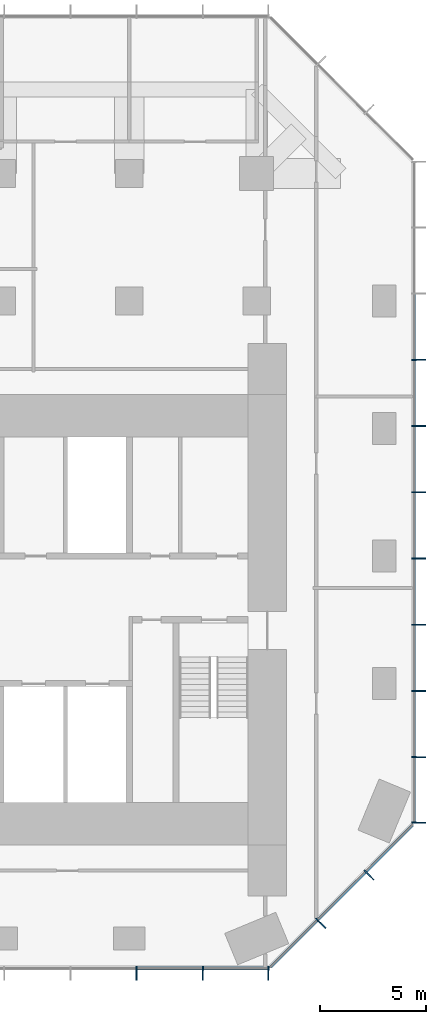
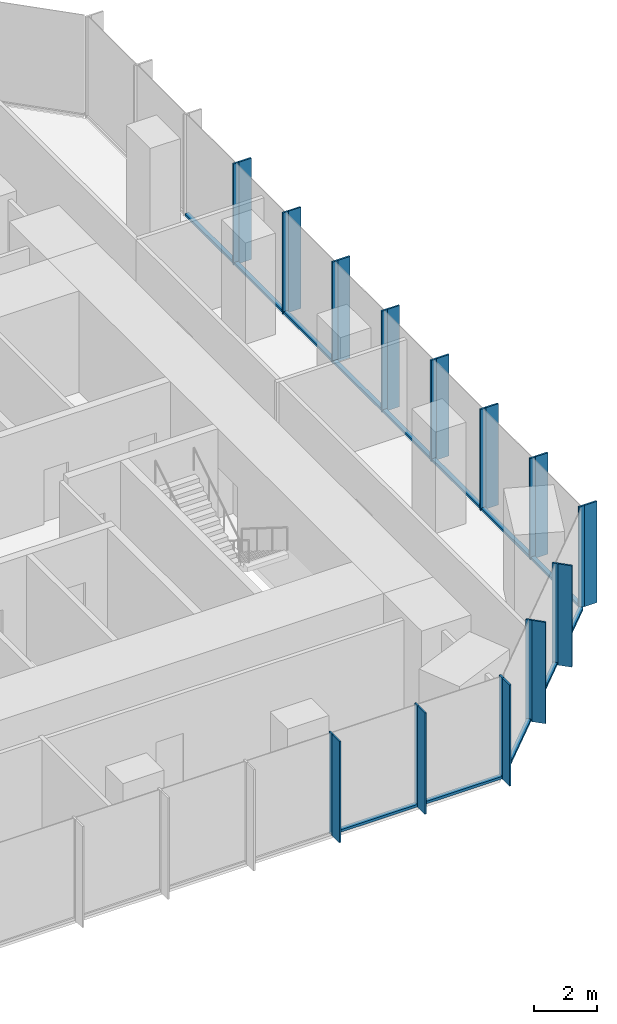
# One storey, part 4 of 11: 39 members, 3 elements without a shape of their own.
"""IFC4 building model written with IfcOpenShell, lengths in metres."""

from ifc_helpers import new_model, si_unit, direction, frame, origin, origin_2d, place, context, subcontext, project, spatial, rectangle, extrude, material, layer, layer_set, material_profile, profile_set, type_object, element, aggregate, save


model = new_model("IFC4")

# Units and contexts
model_context = context("Model", 3, precision=1e-05, world=origin(), true_north=direction((0.0, 1.0)))
body_context = subcontext(model_context, "Body", "Model", "MODEL_VIEW")
ifc_project = project(units=[si_unit("LENGTHUNIT", "METRE"), si_unit("AREAUNIT", "SQUARE_METRE"), si_unit("VOLUMEUNIT", "CUBIC_METRE"), si_unit("PLANEANGLEUNIT", "RADIAN"), si_unit("MASSUNIT", "GRAM", prefix="KILO")], contexts=[model_context])

# Site, building, storey
site_placement = place(None, origin())
site = spatial("IfcSite", under=ifc_project, at=site_placement, CompositionType="ELEMENT")
building_placement = place(site_placement, origin())
building = spatial("IfcBuilding", under=site, at=building_placement, Name="Highveld Stack Headquarters", CompositionType="ELEMENT")
storey_placement = place(building_placement, frame((0.0, 0.0, 192.800048828125)))
storey = spatial("IfcBuildingStorey", under=building, at=storey_placement, Name="L47", CompositionType="ELEMENT", Elevation=192.800048828125)

# Curtain wall, members
ifc_material_1 = material(Name="Aluminium bronze anodised", Category="aluminium")
ifc_layer_1 = layer(ifc_material_1, 0.199951171875)
ifc_layer_set_1 = layer_set([ifc_layer_1], Name="Aluminium bronze anodised")
curtain_wall_type_1 = type_object("IfcCurtainWallType", Name="CW1 TOWER UNITISED CURTAIN WALL", PredefinedType="NOTDEFINED", material=ifc_layer_set_1)
curtain_wall_1_placement = place(storey_placement, origin())
curtain_wall_1 = element("IfcCurtainWall", 1, at=curtain_wall_1_placement, inside=storey, type_object=curtain_wall_type_1, Name="Curtain wall CW1 L47 S", PredefinedType="NOTDEFINED")
ifc_material_2 = material(Name="Aluminium bronze anodised", Category="aluminium")
ifc_material_profile_1 = material_profile(ifc_material_2, rectangle(XDim=0.449951171875, YDim=0.06005859375, at=origin_2d()), Name="FIN 450x60")
ifc_profile_set_1 = profile_set([ifc_material_profile_1], Name="Aluminium bronze anodised")
member_type_1 = type_object("IfcMemberType", Name="CW1 BRONZE FIN 450x60", PredefinedType="USERDEFINED", material=ifc_profile_set_1)
member_1_placement = place(storey_placement, frame((12.347900390625, -13.72509765625, 0.0), z_axis=(0.0, 0.0, 1.0), x_axis=(0.0, 1.0, 0.0)))
member_1 = element("IfcMember", 2, at=member_1_placement, type_object=member_type_1, Name="CW1 fin L47 9", ObjectType="FIN", PredefinedType="USERDEFINED", context=body_context, shape_type="SweptSolid", body=[
    extrude(rectangle(XDim=0.449951171875, YDim=0.06005859375, at=origin_2d()), origin(), (0.0, 0.0, 1.0), 3.89990234375),
])
member_2_placement = place(storey_placement, frame((15.4638671875, -13.72509765625, 0.0), z_axis=(0.0, 0.0, 1.0), x_axis=(0.0, 1.0, 0.0)))
member_2 = element("IfcMember", 3, at=member_2_placement, type_object=member_type_1, Name="CW1 fin L47 10", ObjectType="FIN", PredefinedType="USERDEFINED", context=body_context, shape_type="SweptSolid", body=[
    extrude(rectangle(XDim=0.449951171875, YDim=0.06005859375, at=origin_2d()), origin(), (0.0, 0.0, 1.0), 3.89990234375),
])
member_3_placement = place(storey_placement, frame((18.54736328125, -13.72509765625, 0.0), z_axis=(0.0, 0.0, 1.0), x_axis=(0.0, 1.0, 0.0)))
member_3 = element("IfcMember", 4, at=member_3_placement, type_object=member_type_1, Name="CW1 fin L47 11", ObjectType="FIN", PredefinedType="USERDEFINED", context=body_context, shape_type="SweptSolid", body=[
    extrude(rectangle(XDim=0.449951171875, YDim=0.06005859375, at=origin_2d()), origin(), (0.0, 0.0, 1.0), 3.89990234375),
])

curtain_wall_2_placement = place(storey_placement, origin())
curtain_wall_2 = element("IfcCurtainWall", 5, at=curtain_wall_2_placement, inside=storey, type_object=curtain_wall_type_1, Name="Curtain wall CW1 L47 E", PredefinedType="NOTDEFINED")
member_4_placement = place(storey_placement, frame((25.72509765625, -6.54736328125, 0.0), z_axis=(0.0, 0.0, 1.0), x_axis=(-1.0, 0.0, 0.0)))
member_4 = element("IfcMember", 6, at=member_4_placement, type_object=member_type_1, Name="CW1 fin L47 1", ObjectType="FIN", PredefinedType="USERDEFINED", context=body_context, shape_type="SweptSolid", body=[
    extrude(rectangle(XDim=0.449951171875, YDim=0.06005859375, at=origin_2d()), origin(), (0.0, 0.0, 1.0), 3.89990234375),
])
member_5_placement = place(storey_placement, frame((25.72509765625, -3.4638671875, 0.0), z_axis=(0.0, 0.0, 1.0), x_axis=(-1.0, 0.0, 0.0)))
member_5 = element("IfcMember", 7, at=member_5_placement, type_object=member_type_1, Name="CW1 fin L47 2", ObjectType="FIN", PredefinedType="USERDEFINED", context=body_context, shape_type="SweptSolid", body=[
    extrude(rectangle(XDim=0.449951171875, YDim=0.06005859375, at=origin_2d()), origin(), (0.0, 0.0, 1.0), 3.89990234375),
])
member_6_placement = place(storey_placement, frame((25.72509765625, -0.347900390625, 0.0), z_axis=(0.0, 0.0, 1.0), x_axis=(-1.0, 0.0, 0.0)))
member_6 = element("IfcMember", 8, at=member_6_placement, type_object=member_type_1, Name="CW1 fin L47 3", ObjectType="FIN", PredefinedType="USERDEFINED", context=body_context, shape_type="SweptSolid", body=[
    extrude(rectangle(XDim=0.449951171875, YDim=0.06005859375, at=origin_2d()), origin(), (0.0, 0.0, 1.0), 3.89990234375),
])
member_7_placement = place(storey_placement, frame((25.72509765625, 2.76806640625, 0.0), z_axis=(0.0, 0.0, 1.0), x_axis=(-1.0, 0.0, 0.0)))
member_7 = element("IfcMember", 9, at=member_7_placement, type_object=member_type_1, Name="CW1 fin L47 4", ObjectType="FIN", PredefinedType="USERDEFINED", context=body_context, shape_type="SweptSolid", body=[
    extrude(rectangle(XDim=0.449951171875, YDim=0.06005859375, at=origin_2d()), origin(), (0.0, 0.0, 1.0), 3.89990234375),
])
member_8_placement = place(storey_placement, frame((25.72509765625, 5.884033203125, 0.0), z_axis=(0.0, 0.0, 1.0), x_axis=(-1.0, 0.0, 0.0)))
member_8 = element("IfcMember", 10, at=member_8_placement, type_object=member_type_1, Name="CW1 fin L47 5", ObjectType="FIN", PredefinedType="USERDEFINED", context=body_context, shape_type="SweptSolid", body=[
    extrude(rectangle(XDim=0.449951171875, YDim=0.06005859375, at=origin_2d()), origin(), (0.0, 0.0, 1.0), 3.89990234375),
])
member_9_placement = place(storey_placement, frame((25.72509765625, 9.0, 0.0), z_axis=(0.0, 0.0, 1.0), x_axis=(-1.0, 0.0, 0.0)))
member_9 = element("IfcMember", 11, at=member_9_placement, type_object=member_type_1, Name="CW1 fin L47 6", ObjectType="FIN", PredefinedType="USERDEFINED", context=body_context, shape_type="SweptSolid", body=[
    extrude(rectangle(XDim=0.449951171875, YDim=0.06005859375, at=origin_2d()), origin(), (0.0, 0.0, 1.0), 3.89990234375),
])
member_10_placement = place(storey_placement, frame((25.72509765625, 12.115966796875, 0.0), z_axis=(0.0, 0.0, 1.0), x_axis=(-1.0, 0.0, 0.0)))
member_10 = element("IfcMember", 12, at=member_10_placement, type_object=member_type_1, Name="CW1 fin L47 7", ObjectType="FIN", PredefinedType="USERDEFINED", context=body_context, shape_type="SweptSolid", body=[
    extrude(rectangle(XDim=0.449951171875, YDim=0.06005859375, at=origin_2d()), origin(), (0.0, 0.0, 1.0), 3.89990234375),
])
member_11_placement = place(storey_placement, frame((25.72509765625, 15.23193359375, 0.0), z_axis=(0.0, 0.0, 1.0), x_axis=(-1.0, 0.0, 0.0)))
member_11 = element("IfcMember", 13, at=member_11_placement, type_object=member_type_1, Name="CW1 fin L47 8", ObjectType="FIN", PredefinedType="USERDEFINED", context=body_context, shape_type="SweptSolid", body=[
    extrude(rectangle(XDim=0.449951171875, YDim=0.06005859375, at=origin_2d()), origin(), (0.0, 0.0, 1.0), 3.89990234375),
])

# Member
ifc_material_3 = material(Name="Aluminium bronze anodised", Category="aluminium")
ifc_material_profile_2 = material_profile(ifc_material_3, rectangle(XDim=0.199951171875, YDim=0.06494140625, at=origin_2d()), Name="CW1 MULLION 65x200")
ifc_profile_set_2 = profile_set([ifc_material_profile_2], Name="Aluminium bronze anodised")
member_type_2 = type_object("IfcMemberType", Name="CW1 MULLION 65x200", PredefinedType="MULLION", material=ifc_profile_set_2)
member_12_placement = place(storey_placement, frame((12.347900390625, -13.39990234375, 0.0), z_axis=(0.0, 0.0, 1.0), x_axis=(0.0, 1.0, 0.0)))
member_12 = element("IfcMember", 14, at=member_12_placement, type_object=member_type_2, Name="CW1 mullion L47 9", PredefinedType="MULLION", context=body_context, shape_type="SweptSolid", body=[
    extrude(rectangle(XDim=0.199951171875, YDim=0.06494140625, at=origin_2d()), origin(), (0.0, 0.0, 1.0), 3.89990234375),
])

member_13_placement = place(storey_placement, frame((15.4638671875, -13.39990234375, 0.0), z_axis=(0.0, 0.0, 1.0), x_axis=(0.0, 1.0, 0.0)))
member_13 = element("IfcMember", 15, at=member_13_placement, type_object=member_type_2, Name="CW1 mullion L47 10", PredefinedType="MULLION", context=body_context, shape_type="SweptSolid", body=[
    extrude(rectangle(XDim=0.199951171875, YDim=0.06494140625, at=origin_2d()), origin(), (0.0, 0.0, 1.0), 3.89990234375),
])

member_14_placement = place(storey_placement, frame((18.54736328125, -13.39990234375, 0.0), z_axis=(0.0, 0.0, 1.0), x_axis=(0.0, 1.0, 0.0)))
member_14 = element("IfcMember", 16, at=member_14_placement, type_object=member_type_2, Name="CW1 mullion L47 11", PredefinedType="MULLION", context=body_context, shape_type="SweptSolid", body=[
    extrude(rectangle(XDim=0.199951171875, YDim=0.06494140625, at=origin_2d()), origin(), (0.0, 0.0, 1.0), 3.89990234375),
])

member_15_placement = place(storey_placement, frame((25.39990234375, -6.54736328125, 0.0), z_axis=(0.0, 0.0, 1.0), x_axis=(-1.0, 0.0, 0.0)))
member_15 = element("IfcMember", 17, at=member_15_placement, type_object=member_type_2, Name="CW1 mullion L47 1", PredefinedType="MULLION", context=body_context, shape_type="SweptSolid", body=[
    extrude(rectangle(XDim=0.199951171875, YDim=0.06494140625, at=origin_2d()), origin(), (0.0, 0.0, 1.0), 3.89990234375),
])

member_16_placement = place(storey_placement, frame((25.39990234375, -3.4638671875, 0.0), z_axis=(0.0, 0.0, 1.0), x_axis=(-1.0, 0.0, 0.0)))
member_16 = element("IfcMember", 18, at=member_16_placement, type_object=member_type_2, Name="CW1 mullion L47 2", PredefinedType="MULLION", context=body_context, shape_type="SweptSolid", body=[
    extrude(rectangle(XDim=0.199951171875, YDim=0.06494140625, at=origin_2d()), origin(), (0.0, 0.0, 1.0), 3.89990234375),
])

member_17_placement = place(storey_placement, frame((25.39990234375, -0.347900390625, 0.0), z_axis=(0.0, 0.0, 1.0), x_axis=(-1.0, 0.0, 0.0)))
member_17 = element("IfcMember", 19, at=member_17_placement, type_object=member_type_2, Name="CW1 mullion L47 3", PredefinedType="MULLION", context=body_context, shape_type="SweptSolid", body=[
    extrude(rectangle(XDim=0.199951171875, YDim=0.06494140625, at=origin_2d()), origin(), (0.0, 0.0, 1.0), 3.89990234375),
])

member_18_placement = place(storey_placement, frame((25.39990234375, 2.76806640625, 0.0), z_axis=(0.0, 0.0, 1.0), x_axis=(-1.0, 0.0, 0.0)))
member_18 = element("IfcMember", 20, at=member_18_placement, type_object=member_type_2, Name="CW1 mullion L47 4", PredefinedType="MULLION", context=body_context, shape_type="SweptSolid", body=[
    extrude(rectangle(XDim=0.199951171875, YDim=0.06494140625, at=origin_2d()), origin(), (0.0, 0.0, 1.0), 3.89990234375),
])

member_19_placement = place(storey_placement, frame((25.39990234375, 5.884033203125, 0.0), z_axis=(0.0, 0.0, 1.0), x_axis=(-1.0, 0.0, 0.0)))
member_19 = element("IfcMember", 21, at=member_19_placement, type_object=member_type_2, Name="CW1 mullion L47 5", PredefinedType="MULLION", context=body_context, shape_type="SweptSolid", body=[
    extrude(rectangle(XDim=0.199951171875, YDim=0.06494140625, at=origin_2d()), origin(), (0.0, 0.0, 1.0), 3.89990234375),
])

member_20_placement = place(storey_placement, frame((25.39990234375, 9.0, 0.0), z_axis=(0.0, 0.0, 1.0), x_axis=(-1.0, 0.0, 0.0)))
member_20 = element("IfcMember", 22, at=member_20_placement, type_object=member_type_2, Name="CW1 mullion L47 6", PredefinedType="MULLION", context=body_context, shape_type="SweptSolid", body=[
    extrude(rectangle(XDim=0.199951171875, YDim=0.06494140625, at=origin_2d()), origin(), (0.0, 0.0, 1.0), 3.89990234375),
])

member_21_placement = place(storey_placement, frame((25.39990234375, 12.115966796875, 0.0), z_axis=(0.0, 0.0, 1.0), x_axis=(-1.0, 0.0, 0.0)))
member_21 = element("IfcMember", 23, at=member_21_placement, type_object=member_type_2, Name="CW1 mullion L47 7", PredefinedType="MULLION", context=body_context, shape_type="SweptSolid", body=[
    extrude(rectangle(XDim=0.199951171875, YDim=0.06494140625, at=origin_2d()), origin(), (0.0, 0.0, 1.0), 3.89990234375),
])

member_22_placement = place(storey_placement, frame((25.39990234375, 15.23193359375, 0.0), z_axis=(0.0, 0.0, 1.0), x_axis=(-1.0, 0.0, 0.0)))
member_22 = element("IfcMember", 24, at=member_22_placement, type_object=member_type_2, Name="CW1 mullion L47 8", PredefinedType="MULLION", context=body_context, shape_type="SweptSolid", body=[
    extrude(rectangle(XDim=0.199951171875, YDim=0.06494140625, at=origin_2d()), origin(), (0.0, 0.0, 1.0), 3.89990234375),
])

ifc_material_4 = material(Name="Aluminium bronze anodised", Category="aluminium")
ifc_material_profile_3 = material_profile(ifc_material_4, rectangle(XDim=0.14990234375, YDim=0.10009765625, at=origin_2d()), Name="CW1 TRANSOM 150x100")
ifc_profile_set_3 = profile_set([ifc_material_profile_3], Name="Aluminium bronze anodised")
member_type_3 = type_object("IfcMemberType", Name="CW1 STACK TRANSOM 150x100", PredefinedType="USERDEFINED", material=ifc_profile_set_3)
member_23_placement = place(storey_placement, frame((12.38037109375, -13.39990234375, 0.050048828125), z_axis=(1.0, 0.0, 0.0), x_axis=(0.0, 1.0, 0.0)))
member_23 = element("IfcMember", 25, at=member_23_placement, type_object=member_type_3, Name="CW1 transom L47 9.1", ObjectType="TRANSOM", PredefinedType="USERDEFINED", context=body_context, shape_type="SweptSolid", body=[
    extrude(rectangle(XDim=0.14990234375, YDim=0.10009765625, at=origin_2d()), origin(), (0.0, 0.0, 1.0), 3.051025390625),
])

member_24_placement = place(storey_placement, frame((15.496337890625, -13.39990234375, 0.050048828125), z_axis=(1.0, 0.0, 0.0), x_axis=(0.0, 1.0, 0.0)))
member_24 = element("IfcMember", 26, at=member_24_placement, type_object=member_type_3, Name="CW1 transom L47 10.1", ObjectType="TRANSOM", PredefinedType="USERDEFINED", context=body_context, shape_type="SweptSolid", body=[
    extrude(rectangle(XDim=0.14990234375, YDim=0.10009765625, at=origin_2d()), origin(), (0.0, 0.0, 1.0), 3.0185546875),
])

aggregate(curtain_wall_1, [member_12, member_1, member_13, member_2, member_14, member_3, member_23, member_24])

member_25_placement = place(storey_placement, frame((25.39990234375, -6.514892578125, 0.050048828125), z_axis=(0.0, 1.0, 0.0), x_axis=(-1.0, 0.0, 0.0)))
member_25 = element("IfcMember", 27, at=member_25_placement, type_object=member_type_3, Name="CW1 transom L47 1.1", ObjectType="TRANSOM", PredefinedType="USERDEFINED", context=body_context, shape_type="SweptSolid", body=[
    extrude(rectangle(XDim=0.14990234375, YDim=0.10009765625, at=origin_2d()), origin(), (0.0, 0.0, 1.0), 3.0185546875),
])

member_26_placement = place(storey_placement, frame((25.39990234375, -3.431396484375, 0.050048828125), z_axis=(0.0, 1.0, 0.0), x_axis=(-1.0, 0.0, 0.0)))
member_26 = element("IfcMember", 28, at=member_26_placement, type_object=member_type_3, Name="CW1 transom L47 2.1", ObjectType="TRANSOM", PredefinedType="USERDEFINED", context=body_context, shape_type="SweptSolid", body=[
    extrude(rectangle(XDim=0.14990234375, YDim=0.10009765625, at=origin_2d()), origin(), (0.0, 0.0, 1.0), 3.051025390625),
])

member_27_placement = place(storey_placement, frame((25.39990234375, -0.3154296875, 0.050048828125), z_axis=(0.0, 1.0, 0.0), x_axis=(-1.0, 0.0, 0.0)))
member_27 = element("IfcMember", 29, at=member_27_placement, type_object=member_type_3, Name="CW1 transom L47 3.1", ObjectType="TRANSOM", PredefinedType="USERDEFINED", context=body_context, shape_type="SweptSolid", body=[
    extrude(rectangle(XDim=0.14990234375, YDim=0.10009765625, at=origin_2d()), origin(), (0.0, 0.0, 1.0), 3.051025390625),
])

member_28_placement = place(storey_placement, frame((25.39990234375, 2.800537109375, 0.050048828125), z_axis=(0.0, 1.0, 0.0), x_axis=(-1.0, 0.0, 0.0)))
member_28 = element("IfcMember", 30, at=member_28_placement, type_object=member_type_3, Name="CW1 transom L47 4.1", ObjectType="TRANSOM", PredefinedType="USERDEFINED", context=body_context, shape_type="SweptSolid", body=[
    extrude(rectangle(XDim=0.14990234375, YDim=0.10009765625, at=origin_2d()), origin(), (0.0, 0.0, 1.0), 3.051025390625),
])

member_29_placement = place(storey_placement, frame((25.39990234375, 5.91650390625, 0.050048828125), z_axis=(0.0, 1.0, 0.0), x_axis=(-1.0, 0.0, 0.0)))
member_29 = element("IfcMember", 31, at=member_29_placement, type_object=member_type_3, Name="CW1 transom L47 5.1", ObjectType="TRANSOM", PredefinedType="USERDEFINED", context=body_context, shape_type="SweptSolid", body=[
    extrude(rectangle(XDim=0.14990234375, YDim=0.10009765625, at=origin_2d()), origin(), (0.0, 0.0, 1.0), 3.051025390625),
])

member_30_placement = place(storey_placement, frame((25.39990234375, 9.032470703125, 0.050048828125), z_axis=(0.0, 1.0, 0.0), x_axis=(-1.0, 0.0, 0.0)))
member_30 = element("IfcMember", 32, at=member_30_placement, type_object=member_type_3, Name="CW1 transom L47 6.1", ObjectType="TRANSOM", PredefinedType="USERDEFINED", context=body_context, shape_type="SweptSolid", body=[
    extrude(rectangle(XDim=0.14990234375, YDim=0.10009765625, at=origin_2d()), origin(), (0.0, 0.0, 1.0), 3.051025390625),
])

member_31_placement = place(storey_placement, frame((25.39990234375, 12.1484375, 0.050048828125), z_axis=(0.0, 1.0, 0.0), x_axis=(-1.0, 0.0, 0.0)))
member_31 = element("IfcMember", 33, at=member_31_placement, type_object=member_type_3, Name="CW1 transom L47 7.1", ObjectType="TRANSOM", PredefinedType="USERDEFINED", context=body_context, shape_type="SweptSolid", body=[
    extrude(rectangle(XDim=0.14990234375, YDim=0.10009765625, at=origin_2d()), origin(), (0.0, 0.0, 1.0), 3.051025390625),
])

member_32_placement = place(storey_placement, frame((25.39990234375, 15.264404296875, 0.050048828125), z_axis=(0.0, 1.0, 0.0), x_axis=(-1.0, 0.0, 0.0)))
member_32 = element("IfcMember", 34, at=member_32_placement, type_object=member_type_3, Name="CW1 transom L47 8.1", ObjectType="TRANSOM", PredefinedType="USERDEFINED", context=body_context, shape_type="SweptSolid", body=[
    extrude(rectangle(XDim=0.14990234375, YDim=0.10009765625, at=origin_2d()), origin(), (0.0, 0.0, 1.0), 3.051025390625),
])

aggregate(curtain_wall_2, [member_15, member_4, member_16, member_5, member_17, member_6, member_18, member_7, member_19, member_8, member_20, member_9, member_21, member_10, member_22, member_11, member_25, member_26, member_27, member_28, member_29, member_30, member_31, member_32])

# Curtain wall, members
ifc_material_5 = material(Name="Aluminium bronze anodised", Category="aluminium")
ifc_layer_2 = layer(ifc_material_5, 0.199951171875)
ifc_layer_set_2 = layer_set([ifc_layer_2], Name="Aluminium bronze anodised")
curtain_wall_type_2 = type_object("IfcCurtainWallType", Name="CW2 TOWER CHAMFER UNITISED CURTAIN WALL", PredefinedType="NOTDEFINED", material=ifc_layer_set_2)
curtain_wall_3_placement = place(storey_placement, origin())
curtain_wall_3 = element("IfcCurtainWall", 35, at=curtain_wall_3_placement, inside=storey, type_object=curtain_wall_type_2, Name="Curtain wall CW2 L47 SE", PredefinedType="NOTDEFINED")
ifc_material_6 = material(Name="Aluminium bronze anodised", Category="aluminium")
ifc_material_profile_4 = material_profile(ifc_material_6, rectangle(XDim=0.449951171875, YDim=0.06005859375, at=origin_2d()), Name="FIN 450x60")
ifc_profile_set_4 = profile_set([ifc_material_profile_4], Name="Aluminium bronze anodised")
member_type_4 = type_object("IfcMemberType", Name="CW2 BRONZE FIN 450x60", PredefinedType="USERDEFINED", material=ifc_profile_set_4)
member_33_placement = place(storey_placement, frame((21.0830078125, -11.3564453125, 0.0), z_axis=(0.0, 0.0, 1.0), x_axis=(-0.707106781187, 0.707106781187, 0.0)))
member_33 = element("IfcMember", 36, at=member_33_placement, type_object=member_type_4, Name="CW2 fin L47 1", ObjectType="FIN", PredefinedType="USERDEFINED", context=body_context, shape_type="SweptSolid", body=[
    extrude(rectangle(XDim=0.449951171875, YDim=0.06005859375, at=origin_2d()), origin(), (0.0, 0.0, 1.0), 3.89990234375),
])
member_34_placement = place(storey_placement, frame((23.3564453125, -9.0830078125, 0.0), z_axis=(0.0, 0.0, 1.0), x_axis=(-0.707106781187, 0.707106781187, 0.0)))
member_34 = element("IfcMember", 37, at=member_34_placement, type_object=member_type_4, Name="CW2 fin L47 2", ObjectType="FIN", PredefinedType="USERDEFINED", context=body_context, shape_type="SweptSolid", body=[
    extrude(rectangle(XDim=0.449951171875, YDim=0.06005859375, at=origin_2d()), origin(), (0.0, 0.0, 1.0), 3.89990234375),
])
ifc_material_7 = material(Name="Aluminium bronze anodised", Category="aluminium")
ifc_material_profile_5 = material_profile(ifc_material_7, rectangle(XDim=0.199951171875, YDim=0.06494140625, at=origin_2d()), Name="CW2 MULLION 65x200")
ifc_profile_set_5 = profile_set([ifc_material_profile_5], Name="Aluminium bronze anodised")
member_type_5 = type_object("IfcMemberType", Name="CW2 MULLION 65x200", PredefinedType="MULLION", material=ifc_profile_set_5)
member_35_placement = place(storey_placement, frame((20.853271484375, -11.126708984375, 0.0), z_axis=(0.0, 0.0, 1.0), x_axis=(-0.707106781187, 0.707106781187, 0.0)))
member_35 = element("IfcMember", 38, at=member_35_placement, type_object=member_type_5, Name="CW2 mullion L47 1", PredefinedType="MULLION", context=body_context, shape_type="SweptSolid", body=[
    extrude(rectangle(XDim=0.199951171875, YDim=0.06494140625, at=origin_2d()), origin(), (0.0, 0.0, 1.0), 3.89990234375),
])
member_36_placement = place(storey_placement, frame((23.126708984375, -8.853271484375, 0.0), z_axis=(0.0, 0.0, 1.0), x_axis=(-0.707106781187, 0.707106781187, 0.0)))
member_36 = element("IfcMember", 39, at=member_36_placement, type_object=member_type_5, Name="CW2 mullion L47 2", PredefinedType="MULLION", context=body_context, shape_type="SweptSolid", body=[
    extrude(rectangle(XDim=0.199951171875, YDim=0.06494140625, at=origin_2d()), origin(), (0.0, 0.0, 1.0), 3.89990234375),
])
ifc_material_8 = material(Name="Aluminium bronze anodised", Category="aluminium")
ifc_material_profile_6 = material_profile(ifc_material_8, rectangle(XDim=0.14990234375, YDim=0.10009765625, at=origin_2d()), Name="CW2 TRANSOM 150x100")
ifc_profile_set_6 = profile_set([ifc_material_profile_6], Name="Aluminium bronze anodised")
member_type_6 = type_object("IfcMemberType", Name="CW2 STACK TRANSOM 150x100", PredefinedType="USERDEFINED", material=ifc_profile_set_6)
member_37_placement = place(storey_placement, frame((18.650634765625, -13.329345703125, 0.050048828125), z_axis=(0.707106781187, 0.707106781187, 0.0), x_axis=(-0.707106781187, 0.707106781187, 0.0)))
member_37 = element("IfcMember", 40, at=member_37_placement, type_object=member_type_6, Name="CW2 transom L47 1.1", ObjectType="TRANSOM", PredefinedType="USERDEFINED", context=body_context, shape_type="SweptSolid", body=[
    extrude(rectangle(XDim=0.14990234375, YDim=0.10009765625, at=origin_2d()), origin(), (0.0, 0.0, 1.0), 3.08251953125),
])
member_38_placement = place(storey_placement, frame((20.876220703125, -11.103759765625, 0.050048828125), z_axis=(0.707106781187, 0.707106781187, 0.0), x_axis=(-0.707106781187, 0.707106781187, 0.0)))
member_38 = element("IfcMember", 41, at=member_38_placement, type_object=member_type_6, Name="CW2 transom L47 2.1", ObjectType="TRANSOM", PredefinedType="USERDEFINED", context=body_context, shape_type="SweptSolid", body=[
    extrude(rectangle(XDim=0.14990234375, YDim=0.10009765625, at=origin_2d()), origin(), (0.0, 0.0, 1.0), 3.150146484375),
])
member_39_placement = place(storey_placement, frame((23.149658203125, -8.830322265625, 0.050048828125), z_axis=(0.707106781187, 0.707106781187, 0.0), x_axis=(-0.707106781187, 0.707106781187, 0.0)))
member_39 = element("IfcMember", 42, at=member_39_placement, type_object=member_type_6, Name="CW2 transom L47 3.1", ObjectType="TRANSOM", PredefinedType="USERDEFINED", context=body_context, shape_type="SweptSolid", body=[
    extrude(rectangle(XDim=0.14990234375, YDim=0.10009765625, at=origin_2d()), origin(), (0.0, 0.0, 1.0), 3.08251953125),
])
aggregate(curtain_wall_3, [member_35, member_33, member_36, member_34, member_37, member_38, member_39])

save(model, "model.ifc")
